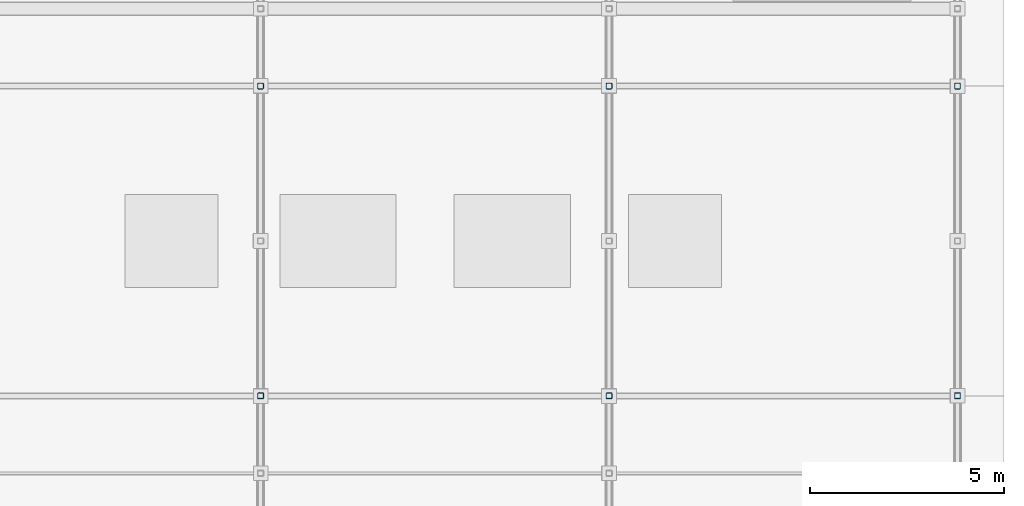
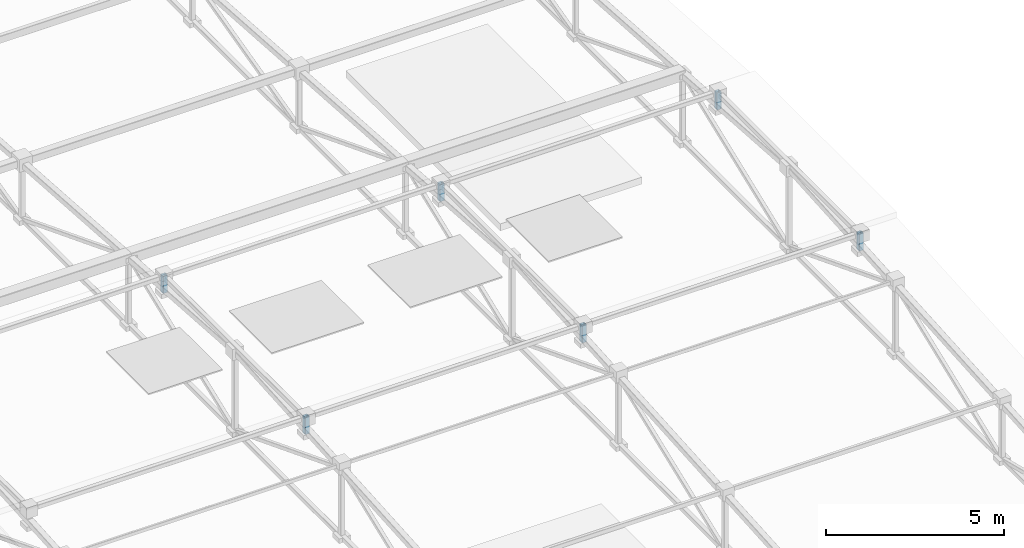
# One storey, part 60 of 85: 6 members.
"""IFC4 building model written with IfcOpenShell, lengths in metres."""

from ifc_helpers import new_model, si_unit, direction, frame, origin, origin_2d, place, context, subcontext, project, spatial, hollow_rectangle, extrude, material, material_profile, profile_set, type_object, element, save


model = new_model("IFC4")

# Units and contexts
model_context = context("Model", 3, precision=1e-05, world=origin(), true_north=direction((0.0, 1.0)))
body_context = subcontext(model_context, "Body", "Model", "MODEL_VIEW")
ifc_project = project(units=[si_unit("LENGTHUNIT", "METRE"), si_unit("AREAUNIT", "SQUARE_METRE"), si_unit("VOLUMEUNIT", "CUBIC_METRE"), si_unit("PLANEANGLEUNIT", "RADIAN"), si_unit("MASSUNIT", "GRAM", prefix="KILO"), si_unit("THERMODYNAMICTEMPERATUREUNIT", "KELVIN"), si_unit("POWERUNIT", "WATT")], contexts=[model_context])

# Site, building, storey
site_placement = place(None, origin())
site = spatial("IfcSite", under=ifc_project, at=site_placement, CompositionType="ELEMENT")
building_placement = place(site_placement, origin())
building = spatial("IfcBuilding", under=site, at=building_placement, Name="Zelmaris Science Centre", CompositionType="ELEMENT")
storey_placement = place(building_placement, frame((0.0, 0.0, 20.39990234375)))
storey = spatial("IfcBuildingStorey", under=building, at=storey_placement, Name="L04", CompositionType="ELEMENT", Elevation=20.39990234375)

# Members
ifc_material = material(Name="Steel ASTM A500 Grade C", Category="steel")
ifc_material_profile = material_profile(ifc_material, hollow_rectangle(XDim=0.15234375, YDim=0.15234375, WallThickness=0.0087890625, InnerFilletRadius=0.0087890625, OuterFilletRadius=0.017822265625, at=origin_2d()), Name="HSS152X152X10")
ifc_profile_set = profile_set([ifc_material_profile], Name="Steel ASTM A500 Grade C")
member_type = type_object("IfcMemberType", Name="Structural Brace BR-03 HSS152X152X10", PredefinedType="BRACE", material=ifc_profile_set)
for number, where, z_axis, x_axis, name in (
    (1, (117.0, 28.0, 3.284423828125), (0.0, 0.0, 1.0), (1.0, 0.0, 0.0), "RF-V4 Lantern curb post S 117"),
    (2, (126.0, 28.0, 3.284423828125), (0.0, 0.0, 1.0), (1.0, 0.0, 0.0), "RF-V4 Lantern curb post S 126"),
    (3, (135.0, 28.0, 3.284423828125), (0.0, 0.0, 1.0), (1.0, 0.0, 0.0), "RF-V4 Lantern curb post S 135"),
    (4, (117.0, 36.0, 3.284423828125), (0.0, 0.0, 1.0), (1.0, 0.0, 0.0), "RF-V4 Lantern curb post N 117"),
    (5, (126.0, 36.0, 3.284423828125), (0.0, 0.0, 1.0), (1.0, 0.0, 0.0), "RF-V4 Lantern curb post N 126"),
    (6, (135.0, 36.0, 3.284423828125), (0.0, 0.0, 1.0), (1.0, 0.0, 0.0), "RF-V4 Lantern curb post N 135"),
):
    element("IfcMember", number, at=place(storey_placement, frame(where, z_axis=z_axis, x_axis=x_axis)), inside=storey, type_object=member_type, Name=name, PredefinedType="BRACE", context=body_context, shape_type="SweptSolid", body=[
        extrude(hollow_rectangle(XDim=0.15234375, YDim=0.15234375, WallThickness=0.0087890625, InnerFilletRadius=0.0087890625, OuterFilletRadius=0.017822265625, at=origin_2d()), origin(), (0.0, 0.0, 1.0), 0.585693359375),
    ])

save(model, "model.ifc")
